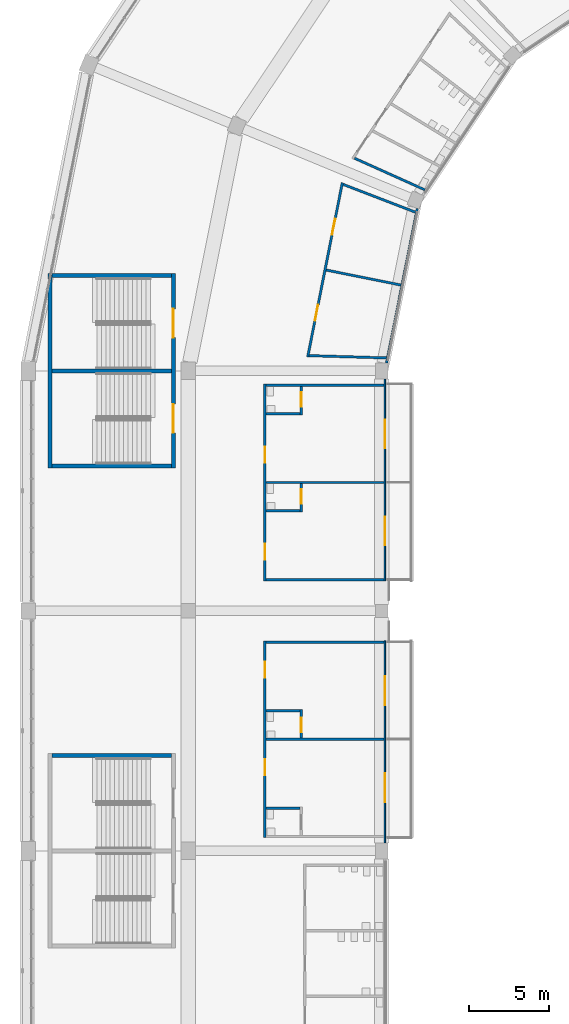
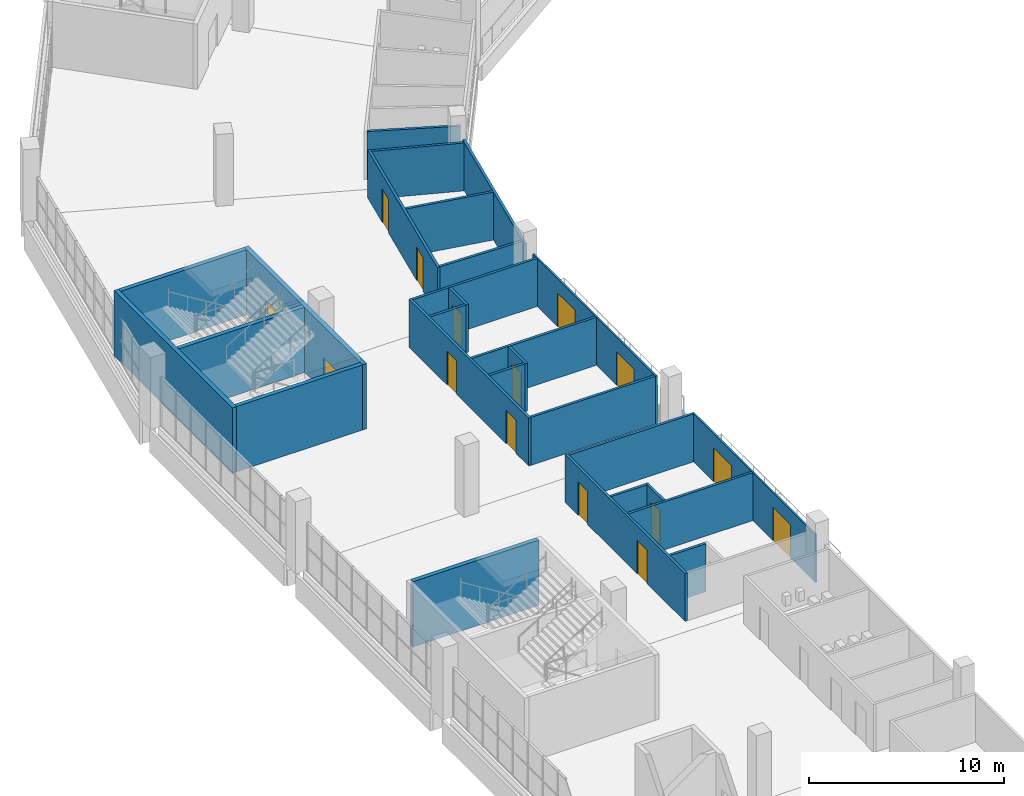
# One storey, part 82 of 199: 28 walls, 15 doors, 15 openings.
"""IFC4 building model written with IfcOpenShell, lengths in metres."""

from ifc_helpers import new_model, si_unit, direction, frame, frame_2d, origin, place, context, subcontext, project, spatial, rectangle, extrude, material, layer, layer_set, type_object, element, fill, save


model = new_model("IFC4")

# Units and contexts
model_context = context("Model", 3, precision=1e-05, world=origin(), true_north=direction((0.0, 1.0)))
body_context = subcontext(model_context, "Body", "Model", "MODEL_VIEW")
ifc_project = project(units=[si_unit("LENGTHUNIT", "METRE"), si_unit("AREAUNIT", "SQUARE_METRE"), si_unit("VOLUMEUNIT", "CUBIC_METRE"), si_unit("PLANEANGLEUNIT", "RADIAN"), si_unit("MASSUNIT", "GRAM", prefix="KILO")], contexts=[model_context])

# Site, building, storey
site_placement = place(None, origin())
site = spatial("IfcSite", under=ifc_project, at=site_placement, CompositionType="ELEMENT")
building_placement = place(site_placement, origin())
building = spatial("IfcBuilding", under=site, at=building_placement, Name="Ogive Plaza Stadium", CompositionType="ELEMENT")
storey_placement = place(building_placement, frame((0.0, 0.0, 9.0)))
storey = spatial("IfcBuildingStorey", under=building, at=storey_placement, Name="L02", CompositionType="ELEMENT", Elevation=9.0)

# Wall, openings, doors
ifc_material_1 = material(Name="Masonry blockwork", Category="masonry")
ifc_layer_1 = layer(ifc_material_1, 0.14990234375)
ifc_layer_set_1 = layer_set([ifc_layer_1], Name="Blockwork wall 150")
wall_type_1 = type_object("IfcWallType", Name="Blockwork wall 150", PredefinedType="SOLIDWALL", material=ifc_layer_set_1)
wall_1_placement = place(storey_placement, frame((-69.199951171875, 23.324951171875, 0.0), z_axis=(0.0, 0.0, 1.0), x_axis=(0.0, 1.0, 0.0)))
wall_1 = element("IfcWall", 1, at=wall_1_placement, inside=storey, type_object=wall_type_1, Name="Wall L02 B26", PredefinedType="SOLIDWALL", context=body_context, shape_type="SweptSolid", body=[
    extrude(rectangle(XDim=12.300048828125, YDim=0.14990234375, at=frame_2d((6.14990234375, 0.0))), origin(), (0.0, 0.0, 1.0), 3.0),
])
opening_1_placement = place(wall_1_placement, frame((3.916015625, 0.0, 0.0)))
opening_1 = element("IfcOpeningElement", 2, at=opening_1_placement, cuts=wall_1, Name="Opening D0701", PredefinedType="OPENING", context=body_context, shape_type="SweptSolid", body=[
    extrude(rectangle(XDim=1.0, YDim=2.10009765625, at=frame_2d((0.5, 1.050048828125))), frame((0.0, 0.074951171875, 0.0), z_axis=(0.0, -1.0, 0.0), x_axis=(1.0, 0.0, 0.0)), (0.0, 0.0, 1.0), 0.14990234375),
])
opening_2_placement = place(wall_1_placement, frame((9.990966796875, 0.0, 0.0)))
opening_2 = element("IfcOpeningElement", 3, at=opening_2_placement, cuts=wall_1, Name="Opening D0702", PredefinedType="OPENING", context=body_context, shape_type="SweptSolid", body=[
    extrude(rectangle(XDim=1.0, YDim=2.10009765625, at=frame_2d((0.5, 1.050048828125))), frame((0.0, 0.074951171875, 0.0), z_axis=(0.0, -1.0, 0.0), x_axis=(1.0, 0.0, 0.0)), (0.0, 0.0, 1.0), 0.14990234375),
])
ifc_material_2 = material(Name="Steel ASTM A572 Grade 50", Category="steel")
door_type_1 = type_object("IfcDoorType", Name="Fire door FD30S 1000 x 2100", OperationType="SINGLE_SWING_LEFT", PredefinedType="DOOR", material=ifc_material_2)
door_1_placement = place(opening_1_placement, origin())
door_1 = element("IfcDoor", 4, at=door_1_placement, inside=storey, type_object=door_type_1, Name="Hospitality Suite B26 door", OperationType="SINGLE_SWING_RIGHT", OverallHeight=2.10009765625, OverallWidth=1.0, PredefinedType="DOOR", context=body_context, shape_type="SweptSolid", body=[
    extrude(rectangle(XDim=1.0, YDim=2.10009765625, at=frame_2d((0.5, 1.050048828125))), frame((0.0, 0.02490234375, 0.0), z_axis=(0.0, -1.0, 0.0), x_axis=(1.0, 0.0, 0.0)), (0.0, 0.0, 1.0), 0.050048828125),
])
fill(opening_1, door_1)
door_2_placement = place(opening_2_placement, origin())
door_2 = element("IfcDoor", 5, at=door_2_placement, inside=storey, type_object=door_type_1, Name="Hospitality Suite B26 door", OperationType="SINGLE_SWING_RIGHT", OverallHeight=2.10009765625, OverallWidth=1.0, PredefinedType="DOOR", context=body_context, shape_type="SweptSolid", body=[
    extrude(rectangle(XDim=1.0, YDim=2.10009765625, at=frame_2d((0.5, 1.050048828125))), frame((0.0, 0.02490234375, 0.0), z_axis=(0.0, -1.0, 0.0), x_axis=(1.0, 0.0, 0.0)), (0.0, 0.0, 1.0), 0.050048828125),
])
fill(opening_2, door_2)

# Walls
for number, where, z_axis, x_axis, name in (
    (6, (-61.75, 29.47509765625, 0.0), (0.0, 0.0, 1.0), (-1.0, 0.0, 0.0), "Wall L02 B26"),
    (7, (-61.75, 35.550048828125, 0.0), (0.0, 0.0, 1.0), (-1.0, 0.0, 0.0), "Wall L02 B26"),
):
    element("IfcWall", number, at=place(storey_placement, frame(where, z_axis=z_axis, x_axis=x_axis)), inside=storey, type_object=wall_type_1, Name=name, PredefinedType="SOLIDWALL", context=body_context, shape_type="SweptSolid", body=[
        extrude(rectangle(XDim=7.375, YDim=0.14990234375, at=frame_2d((3.6875, 0.0))), origin(), (0.0, 0.0, 1.0), 3.0),
    ])

# Wall, openings, doors
wall_2_placement = place(storey_placement, frame((-69.199951171875, 51.675048828125, 0.0), z_axis=(0.0, 0.0, 1.0), x_axis=(0.0, -1.0, 0.0)))
wall_2 = element("IfcWall", 8, at=wall_2_placement, inside=storey, type_object=wall_type_1, Name="Wall L02 B27", PredefinedType="SOLIDWALL", context=body_context, shape_type="SweptSolid", body=[
    extrude(rectangle(XDim=12.300048828125, YDim=0.14990234375, at=frame_2d((6.14990234375, 0.0))), origin(), (0.0, 0.0, 1.0), 3.0),
])
opening_3_placement = place(wall_2_placement, frame((3.916015625, 0.0, 0.0)))
opening_3 = element("IfcOpeningElement", 9, at=opening_3_placement, cuts=wall_2, Name="Opening D0707", PredefinedType="OPENING", context=body_context, shape_type="SweptSolid", body=[
    extrude(rectangle(XDim=1.0, YDim=2.10009765625, at=frame_2d((0.5, 1.050048828125))), frame((0.0, 0.074951171875, 0.0), z_axis=(0.0, -1.0, 0.0), x_axis=(1.0, 0.0, 0.0)), (0.0, 0.0, 1.0), 0.14990234375),
])
opening_4_placement = place(wall_2_placement, frame((9.990966796875, 0.0, 0.0)))
opening_4 = element("IfcOpeningElement", 10, at=opening_4_placement, cuts=wall_2, Name="Opening D0708", PredefinedType="OPENING", context=body_context, shape_type="SweptSolid", body=[
    extrude(rectangle(XDim=1.0, YDim=2.10009765625, at=frame_2d((0.5, 1.050048828125))), frame((0.0, 0.074951171875, 0.0), z_axis=(0.0, -1.0, 0.0), x_axis=(1.0, 0.0, 0.0)), (0.0, 0.0, 1.0), 0.14990234375),
])
door_3_placement = place(opening_3_placement, origin())
door_3 = element("IfcDoor", 11, at=door_3_placement, inside=storey, type_object=door_type_1, Name="Hospitality Suite B27 door", OperationType="SINGLE_SWING_LEFT", OverallHeight=2.10009765625, OverallWidth=1.0, PredefinedType="DOOR", context=body_context, shape_type="SweptSolid", body=[
    extrude(rectangle(XDim=1.0, YDim=2.10009765625, at=frame_2d((0.5, 1.050048828125))), frame((0.0, 0.02490234375, 0.0), z_axis=(0.0, -1.0, 0.0), x_axis=(1.0, 0.0, 0.0)), (0.0, 0.0, 1.0), 0.050048828125),
])
fill(opening_3, door_3)
door_4_placement = place(opening_4_placement, origin())
door_4 = element("IfcDoor", 12, at=door_4_placement, inside=storey, type_object=door_type_1, Name="Hospitality Suite B27 door", OperationType="SINGLE_SWING_LEFT", OverallHeight=2.10009765625, OverallWidth=1.0, PredefinedType="DOOR", context=body_context, shape_type="SweptSolid", body=[
    extrude(rectangle(XDim=1.0, YDim=2.10009765625, at=frame_2d((0.5, 1.050048828125))), frame((0.0, 0.02490234375, 0.0), z_axis=(0.0, -1.0, 0.0), x_axis=(1.0, 0.0, 0.0)), (0.0, 0.0, 1.0), 0.050048828125),
])
fill(opening_4, door_4)

# Walls
for number, where, z_axis, x_axis, name in (
    (13, (-61.75, 51.60009765625, 0.0), (0.0, 0.0, 1.0), (-1.0, 0.0, 0.0), "Wall L02 B27"),
    (14, (-61.75, 45.52490234375, 0.0), (0.0, 0.0, 1.0), (-1.0, 0.0, 0.0), "Wall L02 B27"),
    (15, (-61.75, 39.449951171875, 0.0), (0.0, 0.0, 1.0), (-1.0, 0.0, 0.0), "Wall L02 B27"),
):
    element("IfcWall", number, at=place(storey_placement, frame(where, z_axis=z_axis, x_axis=x_axis)), inside=storey, type_object=wall_type_1, Name=name, PredefinedType="SOLIDWALL", context=body_context, shape_type="SweptSolid", body=[
        extrude(rectangle(XDim=7.375, YDim=0.14990234375, at=frame_2d((3.6875, 0.0))), origin(), (0.0, 0.0, 1.0), 3.0),
    ])
wall_3_placement = place(storey_placement, frame((-61.6005859375, 53.0, 0.0), z_axis=(0.0, 0.0, 1.0), x_axis=(0.195099676887, 0.980783419557, 0.0)))
element("IfcWall", 16, at=wall_3_placement, inside=storey, type_object=wall_type_1, Name="Wall L02 B28", PredefinedType="SOLIDWALL", context=body_context, shape_type="SweptSolid", body=[
    extrude(rectangle(XDim=9.83935546875, YDim=0.14990234375, at=frame_2d((4.919677734375, 0.0))), origin(), (0.0, 0.0, 1.0), 3.0),
])

# Wall, openings, doors
wall_4_placement = place(storey_placement, frame((-66.525634765625, 53.376220703125, 0.0), z_axis=(0.0, 0.0, 1.0), x_axis=(0.195088107962, 0.980785720803, 0.0)))
wall_4 = element("IfcWall", 17, at=wall_4_placement, inside=storey, type_object=wall_type_1, Name="Wall L02 B28", PredefinedType="SOLIDWALL", context=body_context, shape_type="SweptSolid", body=[
    extrude(rectangle(XDim=11.09912109375, YDim=0.14990234375, at=frame_2d((5.549560546875, 0.0))), origin(), (0.0, 0.0, 1.0), 3.0),
])
opening_5_placement = place(wall_4_placement, frame((2.3154296875, 0.0, 0.0)))
opening_5 = element("IfcOpeningElement", 18, at=opening_5_placement, cuts=wall_4, Name="Opening D0713", PredefinedType="OPENING", context=body_context, shape_type="SweptSolid", body=[
    extrude(rectangle(XDim=1.0, YDim=2.10009765625, at=frame_2d((0.5, 1.050048828125))), frame((0.0, 0.074951171875, 0.0), z_axis=(0.0, -1.0, 0.0), x_axis=(1.0, 0.0, 0.0)), (0.0, 0.0, 1.0), 0.14990234375),
])
opening_6_placement = place(wall_4_placement, frame((7.78369140625, 0.0, 0.0)))
opening_6 = element("IfcOpeningElement", 19, at=opening_6_placement, cuts=wall_4, Name="Opening D0714", PredefinedType="OPENING", context=body_context, shape_type="SweptSolid", body=[
    extrude(rectangle(XDim=1.0, YDim=2.10009765625, at=frame_2d((0.5, 1.050048828125))), frame((0.0, 0.074951171875, 0.0), z_axis=(0.0, -1.0, 0.0), x_axis=(1.0, 0.0, 0.0)), (0.0, 0.0, 1.0), 0.14990234375),
])
ifc_material_3 = material(Name="Steel ASTM A572 Grade 50", Category="steel")
door_type_2 = type_object("IfcDoorType", Name="Fire door FD60 1000 x 2100", OperationType="SINGLE_SWING_LEFT", PredefinedType="DOOR", material=ifc_material_3)
door_5_placement = place(opening_5_placement, origin())
door_5 = element("IfcDoor", 20, at=door_5_placement, inside=storey, type_object=door_type_2, Name="Hospitality Pantry B28 door", OperationType="SINGLE_SWING_LEFT", OverallHeight=2.10009765625, OverallWidth=1.0, PredefinedType="DOOR", context=body_context, shape_type="SweptSolid", body=[
    extrude(rectangle(XDim=1.0, YDim=2.10009765625, at=frame_2d((0.5, 1.050048828125))), frame((0.0, 0.02490234375, 0.0), z_axis=(0.0, -1.0, 0.0), x_axis=(1.0, 0.0, 0.0)), (0.0, 0.0, 1.0), 0.050048828125),
])
fill(opening_5, door_5)
door_6_placement = place(opening_6_placement, origin())
door_6 = element("IfcDoor", 21, at=door_6_placement, inside=storey, type_object=door_type_2, Name="Hospitality Store B28 door", OperationType="SINGLE_SWING_RIGHT", OverallHeight=2.10009765625, OverallWidth=1.0, PredefinedType="DOOR", context=body_context, shape_type="SweptSolid", body=[
    extrude(rectangle(XDim=1.0, YDim=2.10009765625, at=frame_2d((0.5, 1.050048828125))), frame((0.0, 0.02490234375, 0.0), z_axis=(0.0, -1.0, 0.0), x_axis=(1.0, 0.0, 0.0)), (0.0, 0.0, 1.0), 0.050048828125),
])
fill(opening_6, door_6)

# Walls
wall_5_placement = place(storey_placement, frame((-61.613525390625, 53.311767578125, 0.0), z_axis=(0.0, 0.0, 1.0), x_axis=(-0.999567579473, 0.029405000692, 0.0)))
element("IfcWall", 22, at=wall_5_placement, inside=storey, type_object=wall_type_1, Name="Wall L02 B28", PredefinedType="SOLIDWALL", context=body_context, shape_type="SweptSolid", body=[
    extrude(rectangle(XDim=4.823974609375, YDim=0.14990234375, at=frame_2d((2.412109375, 0.0))), origin(), (0.0, 0.0, 1.0), 3.0),
])
wall_6_placement = place(storey_placement, frame((-60.707275390625, 57.8671875, 0.0), z_axis=(0.0, 0.0, 1.0), x_axis=(-0.980396663012, 0.19703396447, 0.0)))
element("IfcWall", 23, at=wall_6_placement, inside=storey, type_object=wall_type_1, Name="Wall L02 B28", PredefinedType="SOLIDWALL", context=body_context, shape_type="SweptSolid", body=[
    extrude(rectangle(XDim=4.7568359375, YDim=0.14990234375, at=frame_2d((2.37841796875, 0.0))), origin(), (0.0, 0.0, 1.0), 3.0),
])
wall_7_placement = place(storey_placement, frame((-59.80126953125, 62.4228515625, 0.0), z_axis=(0.0, 0.0, 1.0), x_axis=(-0.933357337601, 0.358948576187, 0.0)))
element("IfcWall", 24, at=wall_7_placement, inside=storey, type_object=wall_type_1, Name="Wall L02 B28", PredefinedType="SOLIDWALL", context=body_context, shape_type="SweptSolid", body=[
    extrude(rectangle(XDim=4.8271484375, YDim=0.14990234375, at=frame_2d((2.41357421875, 0.0))), origin(), (0.0, 0.0, 1.0), 3.0),
])
ifc_material_4 = material(Name="Concrete C40/50", Category="concrete")
ifc_layer_2 = layer(ifc_material_4, 0.25)
ifc_layer_set_2 = layer_set([ifc_layer_2], Name="Concrete C40/50")
wall_type_2 = type_object("IfcWallType", Name="Core wall 250", PredefinedType="SHEAR", material=ifc_layer_set_2)
wall_8_placement = place(storey_placement, frame((-75.050048828125, 28.449951171875, 0.0), z_axis=(0.0, 0.0, 1.0), x_axis=(-1.0, 0.0, 0.0)))
element("IfcWall", 25, at=wall_8_placement, inside=storey, type_object=wall_type_2, Name="Stair core R26 side wall", PredefinedType="SHEAR", context=body_context, shape_type="SweptSolid", body=[
    extrude(rectangle(XDim=7.4599609375, YDim=0.25, at=frame_2d((3.72998046875, 0.0))), origin(), (0.0, 0.0, 1.0), 4.090087890625),
])

# Wall, openings, doors
wall_9_placement = place(storey_placement, frame((-74.925048828125, 58.574951171875, 0.0), z_axis=(0.0, 0.0, 1.0), x_axis=(0.0, -1.0, 0.0)))
wall_9 = element("IfcWall", 26, at=wall_9_placement, inside=storey, type_object=wall_type_2, Name="Stair core R28 inner wall", PredefinedType="SHEAR", context=body_context, shape_type="SweptSolid", body=[
    extrude(rectangle(XDim=12.14990234375, YDim=0.25, at=frame_2d((6.074951171875, 0.0))), origin(), (0.0, 0.0, 1.0), 4.090087890625),
])
opening_7_placement = place(wall_9_placement, frame((2.199951171875, 0.0, 0.0)))
opening_7 = element("IfcOpeningElement", 27, at=opening_7_placement, cuts=wall_9, Name="Opening D0213", PredefinedType="OPENING", context=body_context, shape_type="SweptSolid", body=[
    extrude(rectangle(XDim=1.800048828125, YDim=2.10009765625, at=frame_2d((0.89990234375, 1.050048828125))), frame((0.0, 0.125, 0.0), z_axis=(0.0, -1.0, 0.0), x_axis=(1.0, 0.0, 0.0)), (0.0, 0.0, 1.0), 0.25),
])
opening_8_placement = place(wall_9_placement, frame((8.14990234375, 0.0, 0.0)))
opening_8 = element("IfcOpeningElement", 28, at=opening_8_placement, cuts=wall_9, Name="Opening D0214", PredefinedType="OPENING", context=body_context, shape_type="SweptSolid", body=[
    extrude(rectangle(XDim=1.800048828125, YDim=2.10009765625, at=frame_2d((0.89990234375, 1.050048828125))), frame((0.0, 0.125, 0.0), z_axis=(0.0, -1.0, 0.0), x_axis=(1.0, 0.0, 0.0)), (0.0, 0.0, 1.0), 0.25),
])
ifc_material_5 = material(Name="Steel ASTM A572 Grade 50", Category="steel")
door_type_3 = type_object("IfcDoorType", Name="Fire door FD90 pair 1800 x 2100", OperationType="DOUBLE_DOOR_SINGLE_SWING", PredefinedType="DOOR", material=ifc_material_5)
door_7_placement = place(opening_7_placement, origin())
door_7 = element("IfcDoor", 29, at=door_7_placement, inside=storey, type_object=door_type_3, Name="Exit stair R28A door L02", OperationType="DOUBLE_DOOR_SINGLE_SWING", OverallHeight=2.10009765625, OverallWidth=1.800048828125, PredefinedType="DOOR", context=body_context, shape_type="SweptSolid", body=[
    extrude(rectangle(XDim=1.800048828125, YDim=2.10009765625, at=frame_2d((0.89990234375, 1.050048828125))), frame((0.0, 0.02490234375, 0.0), z_axis=(0.0, -1.0, 0.0), x_axis=(1.0, 0.0, 0.0)), (0.0, 0.0, 1.0), 0.050048828125),
])
fill(opening_7, door_7)
door_8_placement = place(opening_8_placement, origin())
door_8 = element("IfcDoor", 30, at=door_8_placement, inside=storey, type_object=door_type_3, Name="Exit stair R28B door L02", OperationType="DOUBLE_DOOR_SINGLE_SWING", OverallHeight=2.10009765625, OverallWidth=1.800048828125, PredefinedType="DOOR", context=body_context, shape_type="SweptSolid", body=[
    extrude(rectangle(XDim=1.800048828125, YDim=2.10009765625, at=frame_2d((0.89990234375, 1.050048828125))), frame((0.0, 0.02490234375, 0.0), z_axis=(0.0, -1.0, 0.0), x_axis=(1.0, 0.0, 0.0)), (0.0, 0.0, 1.0), 0.050048828125),
])
fill(opening_8, door_8)

# Walls
wall_10_placement = place(storey_placement, frame((-82.635009765625, 58.574951171875, 0.0), z_axis=(0.0, 0.0, 1.0), x_axis=(0.0, -1.0, 0.0)))
element("IfcWall", 31, at=wall_10_placement, inside=storey, type_object=wall_type_2, Name="Stair core R28 outer wall", PredefinedType="SHEAR", context=body_context, shape_type="SweptSolid", body=[
    extrude(rectangle(XDim=12.14990234375, YDim=0.25, at=frame_2d((6.074951171875, 0.0))), origin(), (0.0, 0.0, 1.0), 4.090087890625),
])
for number, where, z_axis, x_axis, name in (
    (32, (-75.050048828125, 58.449951171875, 0.0), (0.0, 0.0, 1.0), (-1.0, 0.0, 0.0), "Stair core R28 side wall"),
    (33, (-75.050048828125, 46.550048828125, 0.0), (0.0, 0.0, 1.0), (-1.0, 0.0, 0.0), "Stair core R28 side wall"),
    (34, (-75.050048828125, 52.5, 0.0), (0.0, 0.0, 1.0), (-1.0, 0.0, 0.0), "Stair core R28 centre wall"),
):
    element("IfcWall", number, at=place(storey_placement, frame(where, z_axis=z_axis, x_axis=x_axis)), inside=storey, type_object=wall_type_2, Name=name, PredefinedType="SHEAR", context=body_context, shape_type="SweptSolid", body=[
        extrude(rectangle(XDim=7.4599609375, YDim=0.25, at=frame_2d((3.72998046875, 0.0))), origin(), (0.0, 0.0, 1.0), 4.090087890625),
    ])

# Wall, openings, doors
ifc_material_6 = material(Name="Laminated glass in aluminium frame", Category="aluminium")
ifc_layer_3 = layer(ifc_material_6, 0.10009765625)
ifc_layer_set_3 = layer_set([ifc_layer_3], Name="Glazed partition 100")
wall_type_3 = type_object("IfcWallType", Name="Glazed partition 100", PredefinedType="PARTITIONING", material=ifc_layer_set_3)
wall_11_placement = place(storey_placement, frame((-61.699951171875, 23.0, 0.0), z_axis=(0.0, 0.0, 1.0), x_axis=(0.0, 1.0, 0.0)))
wall_11 = element("IfcWall", 35, at=wall_11_placement, inside=storey, type_object=wall_type_3, Name="Wall L02 B26", PredefinedType="PARTITIONING", context=body_context, shape_type="SweptSolid", body=[
    extrude(rectangle(XDim=12.625, YDim=0.10009765625, at=frame_2d((6.3125, 0.0))), origin(), (0.0, 0.0, 1.0), 3.0),
])
opening_9_placement = place(wall_11_placement, frame((2.53759765625, 0.0, 0.0)))
opening_9 = element("IfcOpeningElement", 36, at=opening_9_placement, cuts=wall_11, Name="Opening D0703", PredefinedType="OPENING", context=body_context, shape_type="SweptSolid", body=[
    extrude(rectangle(XDim=1.800048828125, YDim=2.10009765625, at=frame_2d((0.89990234375, 1.050048828125))), frame((0.0, 0.050048828125, 0.0), z_axis=(0.0, -1.0, 0.0), x_axis=(1.0, 0.0, 0.0)), (0.0, 0.0, 1.0), 0.10009765625),
])
opening_10_placement = place(wall_11_placement, frame((8.612548828125, 0.0, 0.0)))
opening_10 = element("IfcOpeningElement", 37, at=opening_10_placement, cuts=wall_11, Name="Opening D0704", PredefinedType="OPENING", context=body_context, shape_type="SweptSolid", body=[
    extrude(rectangle(XDim=1.800048828125, YDim=2.10009765625, at=frame_2d((0.89990234375, 1.050048828125))), frame((0.0, 0.050048828125, 0.0), z_axis=(0.0, -1.0, 0.0), x_axis=(1.0, 0.0, 0.0)), (0.0, 0.0, 1.0), 0.10009765625),
])
ifc_material_7 = material(Name="Steel ASTM A572 Grade 50", Category="steel")
door_type_4 = type_object("IfcDoorType", Name="Door pair 1800 x 2100", OperationType="DOUBLE_DOOR_SINGLE_SWING", PredefinedType="DOOR", material=ifc_material_7)
door_9_placement = place(opening_9_placement, origin())
door_9 = element("IfcDoor", 38, at=door_9_placement, inside=storey, type_object=door_type_4, Name="Suite terrace door B26", OperationType="DOUBLE_DOOR_SINGLE_SWING", OverallHeight=2.10009765625, OverallWidth=1.800048828125, PredefinedType="DOOR", context=body_context, shape_type="SweptSolid", body=[
    extrude(rectangle(XDim=1.800048828125, YDim=2.10009765625, at=frame_2d((0.89990234375, 1.050048828125))), frame((0.0, 0.02490234375, 0.0), z_axis=(0.0, -1.0, 0.0), x_axis=(1.0, 0.0, 0.0)), (0.0, 0.0, 1.0), 0.050048828125),
])
fill(opening_9, door_9)
door_10_placement = place(opening_10_placement, origin())
door_10 = element("IfcDoor", 39, at=door_10_placement, inside=storey, type_object=door_type_4, Name="Suite terrace door B26", OperationType="DOUBLE_DOOR_SINGLE_SWING", OverallHeight=2.10009765625, OverallWidth=1.800048828125, PredefinedType="DOOR", context=body_context, shape_type="SweptSolid", body=[
    extrude(rectangle(XDim=1.800048828125, YDim=2.10009765625, at=frame_2d((0.89990234375, 1.050048828125))), frame((0.0, 0.02490234375, 0.0), z_axis=(0.0, -1.0, 0.0), x_axis=(1.0, 0.0, 0.0)), (0.0, 0.0, 1.0), 0.050048828125),
])
fill(opening_10, door_10)

wall_12_placement = place(storey_placement, frame((-61.699951171875, 52.0, 0.0), z_axis=(0.0, 0.0, 1.0), x_axis=(0.0, -1.0, 0.0)))
wall_12 = element("IfcWall", 40, at=wall_12_placement, inside=storey, type_object=wall_type_3, Name="Wall L02 B27", PredefinedType="PARTITIONING", context=body_context, shape_type="SweptSolid", body=[
    extrude(rectangle(XDim=12.625, YDim=0.10009765625, at=frame_2d((6.3125, 0.0))), origin(), (0.0, 0.0, 1.0), 3.0),
])
opening_11_placement = place(wall_12_placement, frame((2.53759765625, 0.0, 0.0)))
opening_11 = element("IfcOpeningElement", 41, at=opening_11_placement, cuts=wall_12, Name="Opening D0709", PredefinedType="OPENING", context=body_context, shape_type="SweptSolid", body=[
    extrude(rectangle(XDim=1.800048828125, YDim=2.10009765625, at=frame_2d((0.89990234375, 1.050048828125))), frame((0.0, 0.050048828125, 0.0), z_axis=(0.0, -1.0, 0.0), x_axis=(1.0, 0.0, 0.0)), (0.0, 0.0, 1.0), 0.10009765625),
])
opening_12_placement = place(wall_12_placement, frame((8.612548828125, 0.0, 0.0)))
opening_12 = element("IfcOpeningElement", 42, at=opening_12_placement, cuts=wall_12, Name="Opening D0710", PredefinedType="OPENING", context=body_context, shape_type="SweptSolid", body=[
    extrude(rectangle(XDim=1.800048828125, YDim=2.10009765625, at=frame_2d((0.89990234375, 1.050048828125))), frame((0.0, 0.050048828125, 0.0), z_axis=(0.0, -1.0, 0.0), x_axis=(1.0, 0.0, 0.0)), (0.0, 0.0, 1.0), 0.10009765625),
])
door_11_placement = place(opening_11_placement, origin())
door_11 = element("IfcDoor", 43, at=door_11_placement, inside=storey, type_object=door_type_4, Name="Suite terrace door B27", OperationType="DOUBLE_DOOR_SINGLE_SWING", OverallHeight=2.10009765625, OverallWidth=1.800048828125, PredefinedType="DOOR", context=body_context, shape_type="SweptSolid", body=[
    extrude(rectangle(XDim=1.800048828125, YDim=2.10009765625, at=frame_2d((0.89990234375, 1.050048828125))), frame((0.0, 0.02490234375, 0.0), z_axis=(0.0, -1.0, 0.0), x_axis=(1.0, 0.0, 0.0)), (0.0, 0.0, 1.0), 0.050048828125),
])
fill(opening_11, door_11)
door_12_placement = place(opening_12_placement, origin())
door_12 = element("IfcDoor", 44, at=door_12_placement, inside=storey, type_object=door_type_4, Name="Suite terrace door B27", OperationType="DOUBLE_DOOR_SINGLE_SWING", OverallHeight=2.10009765625, OverallWidth=1.800048828125, PredefinedType="DOOR", context=body_context, shape_type="SweptSolid", body=[
    extrude(rectangle(XDim=1.800048828125, YDim=2.10009765625, at=frame_2d((0.89990234375, 1.050048828125))), frame((0.0, 0.02490234375, 0.0), z_axis=(0.0, -1.0, 0.0), x_axis=(1.0, 0.0, 0.0)), (0.0, 0.0, 1.0), 0.050048828125),
])
fill(opening_12, door_12)

# Wall
ifc_material_8 = material(Name="Gypsum board partition", Category="gypsum")
ifc_layer_4 = layer(ifc_material_8, 0.14990234375)
ifc_layer_set_4 = layer_set([ifc_layer_4], Name="Partition 150")
wall_type_4 = type_object("IfcWallType", Name="Partition 150", PredefinedType="PARTITIONING", material=ifc_layer_set_4)
wall_13_placement = place(storey_placement, frame((-67.0, 25.175048828125, 0.0), z_axis=(0.0, 0.0, 1.0), x_axis=(-1.0, 0.0, 0.0)))
element("IfcWall", 45, at=wall_13_placement, inside=storey, type_object=wall_type_4, Name="Wall L02 B26", PredefinedType="PARTITIONING", context=body_context, shape_type="SweptSolid", body=[
    extrude(rectangle(XDim=2.125, YDim=0.14990234375, at=frame_2d((1.0625, 0.0))), origin(), (0.0, 0.0, 1.0), 3.0),
])

# Wall, opening, door
wall_14_placement = place(storey_placement, frame((-66.925048828125, 29.550048828125, 0.0), z_axis=(0.0, 0.0, 1.0), x_axis=(0.0, 1.0, 0.0)))
wall_14 = element("IfcWall", 46, at=wall_14_placement, inside=storey, type_object=wall_type_4, Name="Wall L02 B26", PredefinedType="PARTITIONING", context=body_context, shape_type="SweptSolid", body=[
    extrude(rectangle(XDim=1.77490234375, YDim=0.14990234375, at=frame_2d((0.887451171875, 0.0))), origin(), (0.0, 0.0, 1.0), 3.0),
])
opening_13_placement = place(wall_14_placement, frame((0.362548828125, 0.0, 0.0)))
opening_13 = element("IfcOpeningElement", 47, at=opening_13_placement, cuts=wall_14, Name="Opening D0706", PredefinedType="OPENING", context=body_context, shape_type="SweptSolid", body=[
    extrude(rectangle(XDim=0.89990234375, YDim=2.10009765625, at=frame_2d((0.449951171875, 1.050048828125))), frame((0.0, 0.074951171875, 0.0), z_axis=(0.0, -1.0, 0.0), x_axis=(1.0, 0.0, 0.0)), (0.0, 0.0, 1.0), 0.14990234375),
])
ifc_material_9 = material(Name="Steel ASTM A572 Grade 50", Category="steel")
door_type_5 = type_object("IfcDoorType", Name="Door 900 x 2100", OperationType="SINGLE_SWING_LEFT", PredefinedType="DOOR", material=ifc_material_9)
door_13_placement = place(opening_13_placement, origin())
door_13 = element("IfcDoor", 48, at=door_13_placement, inside=storey, type_object=door_type_5, Name="Suite WC B26 door", OperationType="SINGLE_SWING_RIGHT", OverallHeight=2.10009765625, OverallWidth=0.89990234375, PredefinedType="DOOR", context=body_context, shape_type="SweptSolid", body=[
    extrude(rectangle(XDim=0.89990234375, YDim=2.10009765625, at=frame_2d((0.449951171875, 1.050048828125))), frame((0.0, 0.02490234375, 0.0), z_axis=(0.0, -1.0, 0.0), x_axis=(1.0, 0.0, 0.0)), (0.0, 0.0, 1.0), 0.050048828125),
])
fill(opening_13, door_13)

# Wall
wall_15_placement = place(storey_placement, frame((-67.0, 31.25, 0.0), z_axis=(0.0, 0.0, 1.0), x_axis=(-1.0, 0.0, 0.0)))
element("IfcWall", 49, at=wall_15_placement, inside=storey, type_object=wall_type_4, Name="Wall L02 B26", PredefinedType="PARTITIONING", context=body_context, shape_type="SweptSolid", body=[
    extrude(rectangle(XDim=2.125, YDim=0.14990234375, at=frame_2d((1.0625, 0.0))), origin(), (0.0, 0.0, 1.0), 3.0),
])

# Wall, opening, door
wall_16_placement = place(storey_placement, frame((-66.925048828125, 51.52490234375, 0.0), z_axis=(0.0, 0.0, 1.0), x_axis=(0.0, -1.0, 0.0)))
wall_16 = element("IfcWall", 50, at=wall_16_placement, inside=storey, type_object=wall_type_4, Name="Wall L02 B27", PredefinedType="PARTITIONING", context=body_context, shape_type="SweptSolid", body=[
    extrude(rectangle(XDim=1.77490234375, YDim=0.14990234375, at=frame_2d((0.887451171875, 0.0))), origin(), (0.0, 0.0, 1.0), 3.0),
])
opening_14_placement = place(wall_16_placement, frame((0.362548828125, 0.0, 0.0)))
opening_14 = element("IfcOpeningElement", 51, at=opening_14_placement, cuts=wall_16, Name="Opening D0711", PredefinedType="OPENING", context=body_context, shape_type="SweptSolid", body=[
    extrude(rectangle(XDim=0.89990234375, YDim=2.10009765625, at=frame_2d((0.449951171875, 1.050048828125))), frame((0.0, 0.074951171875, 0.0), z_axis=(0.0, -1.0, 0.0), x_axis=(1.0, 0.0, 0.0)), (0.0, 0.0, 1.0), 0.14990234375),
])
door_14_placement = place(opening_14_placement, origin())
door_14 = element("IfcDoor", 52, at=door_14_placement, inside=storey, type_object=door_type_5, Name="Suite WC B27 door", OperationType="SINGLE_SWING_RIGHT", OverallHeight=2.10009765625, OverallWidth=0.89990234375, PredefinedType="DOOR", context=body_context, shape_type="SweptSolid", body=[
    extrude(rectangle(XDim=0.89990234375, YDim=2.10009765625, at=frame_2d((0.449951171875, 1.050048828125))), frame((0.0, 0.02490234375, 0.0), z_axis=(0.0, -1.0, 0.0), x_axis=(1.0, 0.0, 0.0)), (0.0, 0.0, 1.0), 0.050048828125),
])
fill(opening_14, door_14)

# Wall
wall_17_placement = place(storey_placement, frame((-67.0, 49.824951171875, 0.0), z_axis=(0.0, 0.0, 1.0), x_axis=(-1.0, 0.0, 0.0)))
element("IfcWall", 53, at=wall_17_placement, inside=storey, type_object=wall_type_4, Name="Wall L02 B27", PredefinedType="PARTITIONING", context=body_context, shape_type="SweptSolid", body=[
    extrude(rectangle(XDim=2.125, YDim=0.14990234375, at=frame_2d((1.0625, 0.0))), origin(), (0.0, 0.0, 1.0), 3.0),
])

# Wall, opening, door
wall_18_placement = place(storey_placement, frame((-66.925048828125, 45.449951171875, 0.0), z_axis=(0.0, 0.0, 1.0), x_axis=(0.0, -1.0, 0.0)))
wall_18 = element("IfcWall", 54, at=wall_18_placement, inside=storey, type_object=wall_type_4, Name="Wall L02 B27", PredefinedType="PARTITIONING", context=body_context, shape_type="SweptSolid", body=[
    extrude(rectangle(XDim=1.77490234375, YDim=0.14990234375, at=frame_2d((0.887451171875, 0.0))), origin(), (0.0, 0.0, 1.0), 3.0),
])
opening_15_placement = place(wall_18_placement, frame((0.362548828125, 0.0, 0.0)))
opening_15 = element("IfcOpeningElement", 55, at=opening_15_placement, cuts=wall_18, Name="Opening D0712", PredefinedType="OPENING", context=body_context, shape_type="SweptSolid", body=[
    extrude(rectangle(XDim=0.89990234375, YDim=2.10009765625, at=frame_2d((0.449951171875, 1.050048828125))), frame((0.0, 0.074951171875, 0.0), z_axis=(0.0, -1.0, 0.0), x_axis=(1.0, 0.0, 0.0)), (0.0, 0.0, 1.0), 0.14990234375),
])
door_15_placement = place(opening_15_placement, origin())
door_15 = element("IfcDoor", 56, at=door_15_placement, inside=storey, type_object=door_type_5, Name="Suite WC B27 door", OperationType="SINGLE_SWING_LEFT", OverallHeight=2.10009765625, OverallWidth=0.89990234375, PredefinedType="DOOR", context=body_context, shape_type="SweptSolid", body=[
    extrude(rectangle(XDim=0.89990234375, YDim=2.10009765625, at=frame_2d((0.449951171875, 1.050048828125))), frame((0.0, 0.02490234375, 0.0), z_axis=(0.0, -1.0, 0.0), x_axis=(1.0, 0.0, 0.0)), (0.0, 0.0, 1.0), 0.050048828125),
])
fill(opening_15, door_15)

# Walls
wall_19_placement = place(storey_placement, frame((-67.0, 43.75, 0.0), z_axis=(0.0, 0.0, 1.0), x_axis=(-1.0, 0.0, 0.0)))
element("IfcWall", 57, at=wall_19_placement, inside=storey, type_object=wall_type_4, Name="Wall L02 B27", PredefinedType="PARTITIONING", context=body_context, shape_type="SweptSolid", body=[
    extrude(rectangle(XDim=2.125, YDim=0.14990234375, at=frame_2d((1.0625, 0.0))), origin(), (0.0, 0.0, 1.0), 3.0),
])
wall_20_placement = place(storey_placement, frame((-59.200927734375, 63.8173828125, 0.0), z_axis=(0.0, 0.0, 1.0), x_axis=(-0.912239426779, 0.409657452305, 0.0)))
element("IfcWall", 58, at=wall_20_placement, inside=storey, type_object=wall_type_4, Name="Wall L02 B29", PredefinedType="PARTITIONING", context=body_context, shape_type="SweptSolid", body=[
    extrude(rectangle(XDim=4.82373046875, YDim=0.14990234375, at=frame_2d((2.411865234375, 0.0))), origin(), (0.0, 0.0, 1.0), 3.0),
])

save(model, "model.ifc")
